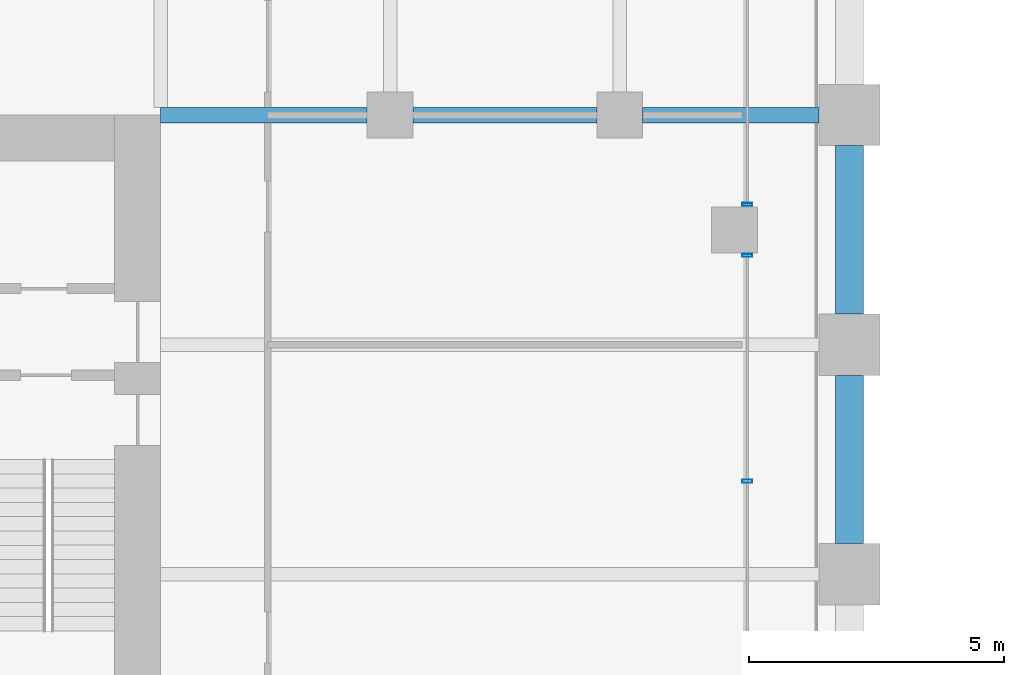
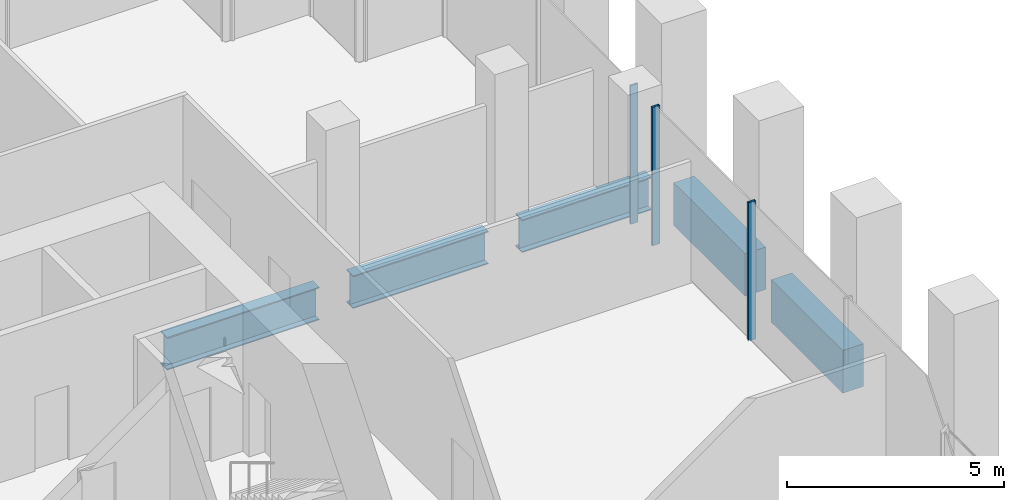
# One storey, part 12 of 36: 5 beams, 3 members, 2 elements without a shape of their own.
"""IFC4 building model written with IfcOpenShell, lengths in metres."""

from ifc_helpers import new_model, si_unit, direction, frame, origin, origin_2d, place, context, subcontext, project, spatial, rectangle, hollow_rectangle, i_section, extrude, material, material_profile, profile_set, type_object, element, aggregate, save


model = new_model("IFC4")

# Units and contexts
model_context = context("Model", 3, precision=1e-05, world=origin(), true_north=direction((0.0, 1.0)))
body_context = subcontext(model_context, "Body", "Model", "MODEL_VIEW")
ifc_project = project(units=[si_unit("LENGTHUNIT", "METRE"), si_unit("AREAUNIT", "SQUARE_METRE"), si_unit("VOLUMEUNIT", "CUBIC_METRE"), si_unit("PLANEANGLEUNIT", "RADIAN"), si_unit("MASSUNIT", "GRAM", prefix="KILO")], contexts=[model_context])

# Site, building, storey
site_placement = place(None, origin())
site = spatial("IfcSite", under=ifc_project, at=site_placement, CompositionType="ELEMENT")
building_placement = place(site_placement, origin())
building = spatial("IfcBuilding", under=site, at=building_placement, Name="Altepetl Exchange Towers", CompositionType="ELEMENT")
storey_placement = place(building_placement, frame((0.0, 0.0, 25.39990234375)))
storey = spatial("IfcBuildingStorey", under=building, at=storey_placement, Name="L05", CompositionType="ELEMENT", Elevation=25.39990234375)

# Beams
ifc_material_1 = material(Name="Steel S355", Category="steel")
ifc_material_profile_1 = material_profile(ifc_material_1, i_section(OverallWidth=0.306884765625, OverallDepth=0.923095703125, WebThickness=0.018310546875, FlangeThickness=0.030029296875, at=origin_2d()), Name="W36X182")
ifc_profile_set_1 = profile_set([ifc_material_profile_1], Name="Steel S355")
beam_type_1 = type_object("IfcBeamType", Name="Girder W36X182", PredefinedType="BEAM", material=ifc_profile_set_1)
beam_1_placement = place(storey_placement, frame((58.5, 58.5, -0.636474609375), z_axis=(1.0, 0.0, 0.0), x_axis=(0.0, 1.0, 0.0)))
element("IfcBeam", 1, at=beam_1_placement, inside=storey, type_object=beam_type_1, Name="gd:A:L05:000", PredefinedType="BEAM", context=body_context, shape_type="SweptSolid", body=[
    extrude(i_section(OverallWidth=0.306884765625, OverallDepth=0.923095703125, WebThickness=0.018310546875, FlangeThickness=0.030029296875, at=origin_2d()), origin(), (0.0, 0.0, 1.0), 4.050048828125),
])
beam_2_placement = place(storey_placement, frame((63.449951171875, 58.5, -0.636474609375), z_axis=(1.0, 0.0, 0.0), x_axis=(0.0, 1.0, 0.0)))
element("IfcBeam", 2, at=beam_2_placement, inside=storey, type_object=beam_type_1, Name="gd:A:L05:001", PredefinedType="BEAM", context=body_context, shape_type="SweptSolid", body=[
    extrude(i_section(OverallWidth=0.306884765625, OverallDepth=0.923095703125, WebThickness=0.018310546875, FlangeThickness=0.030029296875, at=origin_2d()), origin(), (0.0, 0.0, 1.0), 3.60009765625),
])
beam_3_placement = place(storey_placement, frame((67.949951171875, 58.5, -0.636474609375), z_axis=(1.0, 0.0, 0.0), x_axis=(0.0, 1.0, 0.0)))
element("IfcBeam", 3, at=beam_3_placement, inside=storey, type_object=beam_type_1, Name="gd:A:L05:002", PredefinedType="BEAM", context=body_context, shape_type="SweptSolid", body=[
    extrude(i_section(OverallWidth=0.306884765625, OverallDepth=0.923095703125, WebThickness=0.018310546875, FlangeThickness=0.030029296875, at=origin_2d()), origin(), (0.0, 0.0, 1.0), 3.449951171875),
])

# Curtain wall, members
ifc_material_2 = material(Name="Aluminium 6063-T6 glazing", Category="aluminium")
curtain_wall_type = type_object("IfcCurtainWallType", Name="Trading floor glazing system", PredefinedType="NOTDEFINED", material=ifc_material_2)
curtain_wall_1_placement = place(storey_placement, origin())
curtain_wall_1 = element("IfcCurtainWall", 4, at=curtain_wall_1_placement, inside=storey, type_object=curtain_wall_type, Name="CW2 run", PredefinedType="NOTDEFINED")
ifc_material_3 = material(Name="Aluminium 6063-T6", Category="aluminium")
ifc_material_profile_2 = material_profile(ifc_material_3, hollow_rectangle(XDim=0.06005859375, YDim=0.199951171875, WallThickness=0.0029296875, at=origin_2d()), Name="Mullion 60x200 aluminium")
ifc_profile_set_2 = profile_set([ifc_material_profile_2], Name="Aluminium 6063-T6")
member_type = type_object("IfcMemberType", Name="Mullion 60x200 aluminium", PredefinedType="MULLION", material=ifc_profile_set_2)
member_1_placement = place(storey_placement, frame((70.0, 51.323974609375, 0.0), z_axis=(0.0, 0.0, 1.0), x_axis=(0.0, 1.0, 0.0)))
member_1 = element("IfcMember", 5, at=member_1_placement, type_object=member_type, Name="MU2 mullion", PredefinedType="MULLION", context=body_context, shape_type="SweptSolid", body=[
    extrude(hollow_rectangle(XDim=0.06005859375, YDim=0.199951171875, WallThickness=0.0029296875, at=origin_2d()), origin(), (0.0, 0.0, 1.0), 3.900146484375),
])
member_2_placement = place(storey_placement, frame((70.0, 55.75, 0.0), z_axis=(0.0, 0.0, 1.0), x_axis=(0.0, 1.0, 0.0)))
member_2 = element("IfcMember", 6, at=member_2_placement, type_object=member_type, Name="MU2 mullion", PredefinedType="MULLION", context=body_context, shape_type="SweptSolid", body=[
    extrude(hollow_rectangle(XDim=0.06005859375, YDim=0.199951171875, WallThickness=0.0029296875, at=origin_2d()), origin(), (0.0, 0.0, 1.0), 3.900146484375),
])
aggregate(curtain_wall_1, [member_1, member_2])

# Curtain wall, member
curtain_wall_2_placement = place(storey_placement, origin())
curtain_wall_2 = element("IfcCurtainWall", 7, at=curtain_wall_2_placement, inside=storey, type_object=curtain_wall_type, Name="CW2 run", PredefinedType="NOTDEFINED")
member_3_placement = place(storey_placement, frame((70.0, 56.75, 0.0), z_axis=(0.0, 0.0, 1.0), x_axis=(0.0, 1.0, 0.0)))
member_3 = element("IfcMember", 8, at=member_3_placement, type_object=member_type, Name="MU2 mullion", PredefinedType="MULLION", context=body_context, shape_type="SweptSolid", body=[
    extrude(hollow_rectangle(XDim=0.06005859375, YDim=0.199951171875, WallThickness=0.0029296875, at=origin_2d()), origin(), (0.0, 0.0, 1.0), 3.900146484375),
])
aggregate(curtain_wall_2, [member_3])

# Beams
ifc_material_4 = material(Name="Concrete C50/60 precast with cantera amarilla facing", Category="concrete")
ifc_material_profile_3 = material_profile(ifc_material_4, rectangle(XDim=0.550048828125, YDim=1.199951171875, at=origin_2d()), Name="550 x 1200")
ifc_profile_set_3 = profile_set([ifc_material_profile_3], Name="Concrete C50/60 precast with cantera amarilla facing")
beam_type_2 = type_object("IfcBeamType", Name="Spandrel beam 550x1200 cantera amarilla", PredefinedType="SPANDREL", material=ifc_profile_set_3)
for number, where, z_axis, x_axis, name in (
    (9, (72.0, 50.10009765625, -0.77490234375), (0.0, 1.0, 0.0), (-1.0, 0.0, 0.0), "sp:A:L05:016"),
    (10, (72.0, 54.60009765625, -0.77490234375), (0.0, 1.0, 0.0), (-1.0, 0.0, 0.0), "sp:A:L05:017"),
):
    element("IfcBeam", number, at=place(storey_placement, frame(where, z_axis=z_axis, x_axis=x_axis)), inside=storey, type_object=beam_type_2, Name=name, PredefinedType="SPANDREL", context=body_context, shape_type="SweptSolid", body=[
        extrude(rectangle(XDim=0.550048828125, YDim=1.199951171875, at=origin_2d()), origin(), (0.0, 0.0, 1.0), 3.2998046875),
    ])

save(model, "model.ifc")
